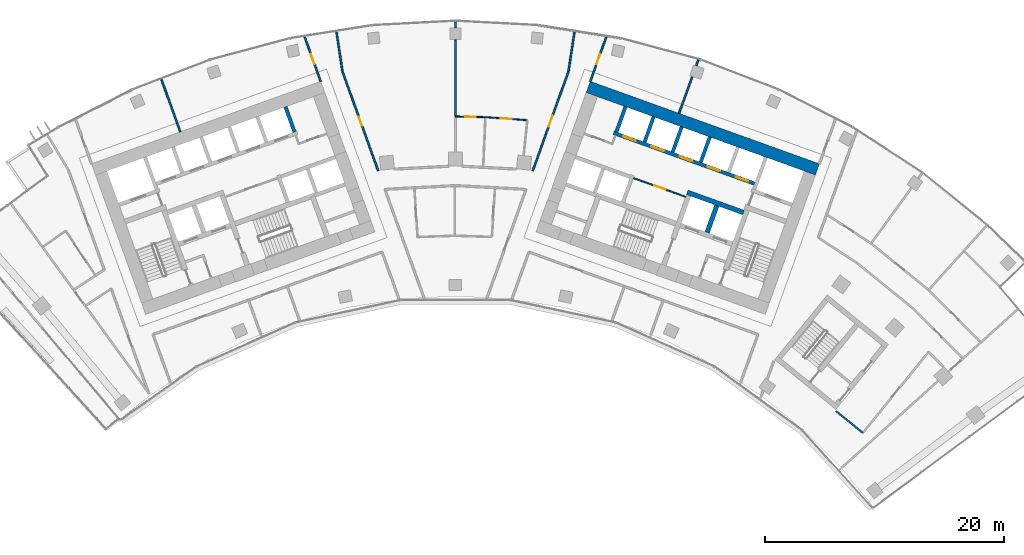
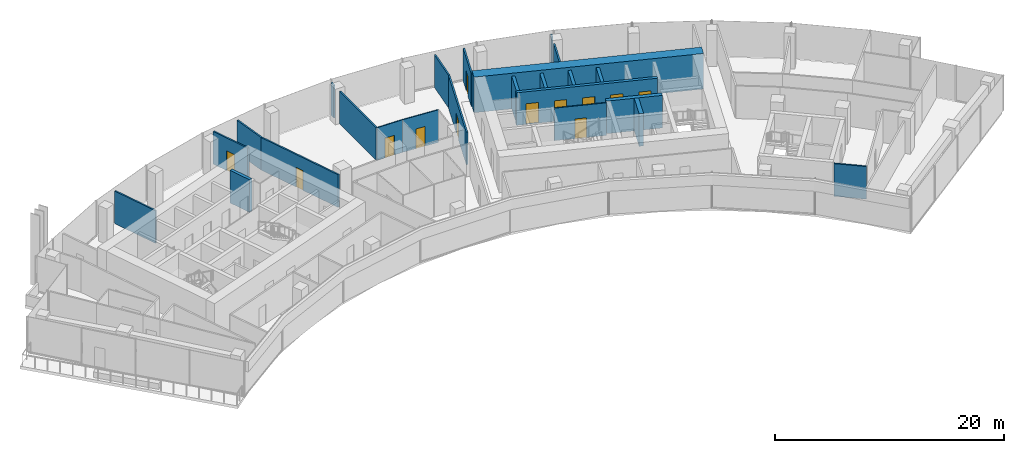
# One storey, part 14 of 18: 24 walls, 12 doors, 12 openings.
"""IFC4 building model written with IfcOpenShell, lengths in metres."""

from ifc_helpers import new_model, si_unit, direction, frame, frame_2d, origin, place, context, subcontext, project, spatial, rectangle, extrude, material, layer, layer_set, type_object, element, fill, save


model = new_model("IFC4")

# Units and contexts
model_context = context("Model", 3, precision=1e-05, world=origin(), true_north=direction((0.0, 1.0)))
body_context = subcontext(model_context, "Body", "Model", "MODEL_VIEW")
ifc_project = project(units=[si_unit("LENGTHUNIT", "METRE"), si_unit("AREAUNIT", "SQUARE_METRE"), si_unit("VOLUMEUNIT", "CUBIC_METRE"), si_unit("PLANEANGLEUNIT", "RADIAN"), si_unit("MASSUNIT", "GRAM", prefix="KILO")], contexts=[model_context])

# Site, building, storey
site_placement = place(None, origin())
site = spatial("IfcSite", under=ifc_project, at=site_placement, CompositionType="ELEMENT")
building_placement = place(site_placement, origin())
building = spatial("IfcBuilding", under=site, at=building_placement, Name="Stone Belt Terrace Tower", CompositionType="ELEMENT")
storey_placement = place(building_placement, frame((0.0, 0.0, 239.0)))
storey = spatial("IfcBuildingStorey", under=building, at=storey_placement, Name="L58", CompositionType="ELEMENT", Elevation=239.0)

# Wall, opening, door
ifc_material_1 = material(Name="Plasterboard partition")
ifc_layer_1 = layer(ifc_material_1, 0.10009765625)
ifc_layer_set_1 = layer_set([ifc_layer_1], Name="Core partition 100")
wall_type_1 = type_object("IfcWallType", Name="Core partition 100", PredefinedType="PARTITIONING", material=ifc_layer_set_1)
wall_1_placement = place(storey_placement, frame((19.29052734375, 51.829833984375, 0.0), z_axis=(0.0, 0.0, 1.0), x_axis=(-0.940930240745, 0.338600475563, 0.0)))
wall_1 = element("IfcWall", 1, at=wall_1_placement, inside=storey, type_object=wall_type_1, Name="Core B wall", PredefinedType="PARTITIONING", context=body_context, shape_type="SweptSolid", body=[
    extrude(rectangle(XDim=4.64990234375, YDim=0.10009765625, at=frame_2d((2.324951171875, 0.0))), origin(), (0.0, 0.0, 1.0), 3.47998046875),
])
opening_1_placement = place(wall_1_placement, frame((1.800048828125, 0.0, 0.0)))
opening_1 = element("IfcOpeningElement", 2, at=opening_1_placement, cuts=wall_1, Name="Opening L58-C13", PredefinedType="OPENING", context=body_context, shape_type="SweptSolid", body=[
    extrude(rectangle(XDim=1.0, YDim=2.10009765625, at=frame_2d((0.5, 1.050048828125))), frame((0.0, 0.06005859375, 0.0), z_axis=(0.0, -1.0, 0.0), x_axis=(1.0, 0.0, 0.0)), (0.0, 0.0, 1.0), 0.1201171875),
])
ifc_material_2 = material(Name="Timber door leaf", Category="wood")
door_type_1 = type_object("IfcDoorType", Name="Core room door 1000", OperationType="SINGLE_SWING_LEFT", PredefinedType="DOOR", material=ifc_material_2)
door_1_placement = place(opening_1_placement, origin())
door_1 = element("IfcDoor", 3, at=door_1_placement, inside=storey, type_object=door_type_1, Name="Door to Print and copy room core B", OperationType="SINGLE_SWING_LEFT", OverallHeight=2.10009765625, OverallWidth=1.0, PredefinedType="DOOR", context=body_context, shape_type="SweptSolid", body=[
    extrude(rectangle(XDim=1.0, YDim=2.10009765625, at=frame_2d((0.5, 1.050048828125))), frame((0.0, 0.02490234375, 0.0), z_axis=(0.0, -1.0, 0.0), x_axis=(1.0, 0.0, 0.0)), (0.0, 0.0, 1.0), 0.050048828125),
])
fill(opening_1, door_1)

# Walls
ifc_material_3 = material(Name="Concrete B60", Category="concrete")
ifc_layer_2 = layer(ifc_material_3, 1.0)
ifc_layer_set_2 = layer_set([ifc_layer_2], Name="Core wall 1000 B60")
wall_type_2 = type_object("IfcWallType", Name="Core wall 1000 B60", PredefinedType="SHEAR", material=ifc_layer_set_2)
wall_2_placement = place(storey_placement, frame((11.12646484375, 61.038330078125, 0.0), z_axis=(0.0, 0.0, 1.0), x_axis=(0.940921428504, -0.338624962727, 0.0)))
element("IfcWall", 4, at=wall_2_placement, inside=storey, type_object=wall_type_2, Name="Core B wall convex L58", PredefinedType="SHEAR", context=body_context, shape_type="SweptSolid", body=[
    extrude(rectangle(XDim=20.400146484375, YDim=1.0, at=frame_2d((10.2001953125, 0.0))), origin(), (0.0, 0.0, 1.0), 3.800048828125),
])
ifc_material_4 = material(Name="Concrete B80", Category="concrete")
ifc_layer_3 = layer(ifc_material_4, 0.39990234375)
ifc_layer_set_3 = layer_set([ifc_layer_3], Name="Fire-fighting lift shaft wall 400")
wall_type_3 = type_object("IfcWallType", Name="Fire-fighting lift shaft wall 400", PredefinedType="SHEAR", material=ifc_layer_set_3)
wall_3_placement = place(storey_placement, frame((24.130615234375, 50.512939453125, 0.0), z_axis=(0.0, 0.0, 1.0), x_axis=(-0.94091168377, 0.338652038744, 0.0)))
element("IfcWall", 5, at=wall_3_placement, inside=storey, type_object=wall_type_3, Name="Core B wall", PredefinedType="SHEAR", context=body_context, shape_type="SweptSolid", body=[
    extrude(rectangle(XDim=5.000244140625, YDim=0.39990234375, at=frame_2d((2.5, 0.0))), origin(), (0.0, 0.0, 1.0), 3.47998046875),
])
wall_4_placement = place(storey_placement, frame((21.0859375, 48.845458984375, 0.0), z_axis=(0.0, 0.0, 1.0), x_axis=(0.338629416206, 0.940919825745, 0.0)))
element("IfcWall", 6, at=wall_4_placement, inside=storey, type_object=wall_type_3, Name="Core B wall", PredefinedType="SHEAR", context=body_context, shape_type="SweptSolid", body=[
    extrude(rectangle(XDim=2.400146484375, YDim=0.39990234375, at=frame_2d((1.2001953125, 0.0))), origin(), (0.0, 0.0, 1.0), 3.47998046875),
])
ifc_layer_4 = layer(ifc_material_4, 0.300048828125)
ifc_layer_set_4 = layer_set([ifc_layer_4], Name="Lift shaft wall 300")
wall_type_4 = type_object("IfcWallType", Name="Lift shaft wall 300", PredefinedType="SHEAR", material=ifc_layer_set_4)
wall_5_placement = place(storey_placement, frame((-13.48828125, 57.265625, 0.0), z_axis=(0.0, 0.0, 1.0), x_axis=(-0.338631098537, 0.940919220286, 0.0)))
element("IfcWall", 7, at=wall_5_placement, inside=storey, type_object=wall_type_4, Name="Core A wall", PredefinedType="SHEAR", context=body_context, shape_type="SweptSolid", body=[
    extrude(rectangle(XDim=2.250244140625, YDim=0.300048828125, at=frame_2d((1.125, 0.0))), origin(), (0.0, 0.0, 1.0), 3.47998046875),
])

# Wall, openings, doors
wall_6_placement = place(storey_placement, frame((25.05810546875, 52.9423828125, 0.0), z_axis=(0.0, 0.0, 1.0), x_axis=(-0.940921381676, 0.338625092847, 0.0)))
wall_6 = element("IfcWall", 8, at=wall_6_placement, inside=storey, type_object=wall_type_4, Name="Core B wall", PredefinedType="SHEAR", context=body_context, shape_type="SweptSolid", body=[
    extrude(rectangle(XDim=12.550048828125, YDim=0.300048828125, at=frame_2d((6.27490234375, 0.0))), origin(), (0.0, 0.0, 1.0), 3.47998046875),
])
opening_2_placement = place(wall_6_placement, frame((0.570068359375, 0.0, 0.0)))
opening_2 = element("IfcOpeningElement", 9, at=opening_2_placement, cuts=wall_6, Name="Opening L58-LD09", PredefinedType="OPENING", context=body_context, shape_type="SweptSolid", body=[
    extrude(rectangle(XDim=1.10009765625, YDim=2.199951171875, at=frame_2d((0.550048828125, 1.10009765625))), frame((0.0, 0.159912109375, 0.0), z_axis=(0.0, -1.0, 0.0), x_axis=(1.0, 0.0, 0.0)), (0.0, 0.0, 1.0), 0.320068359375),
])
opening_3_placement = place(wall_6_placement, frame((3.070068359375, 0.0, 0.0)))
opening_3 = element("IfcOpeningElement", 10, at=opening_3_placement, cuts=wall_6, Name="Opening L58-LD10", PredefinedType="OPENING", context=body_context, shape_type="SweptSolid", body=[
    extrude(rectangle(XDim=1.10009765625, YDim=2.199951171875, at=frame_2d((0.550048828125, 1.10009765625))), frame((0.0, 0.159912109375, 0.0), z_axis=(0.0, -1.0, 0.0), x_axis=(1.0, 0.0, 0.0)), (0.0, 0.0, 1.0), 0.320068359375),
])
opening_4_placement = place(wall_6_placement, frame((5.570068359375, 0.0, 0.0)))
opening_4 = element("IfcOpeningElement", 11, at=opening_4_placement, cuts=wall_6, Name="Opening L58-LD11", PredefinedType="OPENING", context=body_context, shape_type="SweptSolid", body=[
    extrude(rectangle(XDim=1.10009765625, YDim=2.199951171875, at=frame_2d((0.550048828125, 1.10009765625))), frame((0.0, 0.159912109375, 0.0), z_axis=(0.0, -1.0, 0.0), x_axis=(1.0, 0.0, 0.0)), (0.0, 0.0, 1.0), 0.320068359375),
])
opening_5_placement = place(wall_6_placement, frame((8.070068359375, 0.0, 0.0)))
opening_5 = element("IfcOpeningElement", 12, at=opening_5_placement, cuts=wall_6, Name="Opening L58-LD12", PredefinedType="OPENING", context=body_context, shape_type="SweptSolid", body=[
    extrude(rectangle(XDim=1.10009765625, YDim=2.199951171875, at=frame_2d((0.550048828125, 1.10009765625))), frame((0.0, 0.159912109375, 0.0), z_axis=(0.0, -1.0, 0.0), x_axis=(1.0, 0.0, 0.0)), (0.0, 0.0, 1.0), 0.320068359375),
])
opening_6_placement = place(wall_6_placement, frame((10.570068359375, 0.0, 0.0)))
opening_6 = element("IfcOpeningElement", 13, at=opening_6_placement, cuts=wall_6, Name="Opening L58-LD13", PredefinedType="OPENING", context=body_context, shape_type="SweptSolid", body=[
    extrude(rectangle(XDim=1.10009765625, YDim=2.199951171875, at=frame_2d((0.550048828125, 1.10009765625))), frame((0.0, 0.159912109375, 0.0), z_axis=(0.0, -1.0, 0.0), x_axis=(1.0, 0.0, 0.0)), (0.0, 0.0, 1.0), 0.320068359375),
])
ifc_material_5 = material(Name="Stainless steel door leaf", Category="steel")
door_type_2 = type_object("IfcDoorType", Name="Landing door 1100", OperationType="SLIDING_TO_LEFT", PredefinedType="DOOR", material=ifc_material_5)
door_2_placement = place(opening_2_placement, origin())
door_2 = element("IfcDoor", 14, at=door_2_placement, inside=storey, type_object=door_type_2, Name="Landing door MR1 core B", OperationType="SLIDING_TO_LEFT", OverallHeight=2.199951171875, OverallWidth=1.10009765625, PredefinedType="DOOR", context=body_context, shape_type="SweptSolid", body=[
    extrude(rectangle(XDim=1.10009765625, YDim=2.199951171875, at=frame_2d((0.550048828125, 1.10009765625))), frame((0.0, 0.02490234375, 0.0), z_axis=(0.0, -1.0, 0.0), x_axis=(1.0, 0.0, 0.0)), (0.0, 0.0, 1.0), 0.050048828125),
])
fill(opening_2, door_2)
door_3_placement = place(opening_3_placement, origin())
door_3 = element("IfcDoor", 15, at=door_3_placement, inside=storey, type_object=door_type_2, Name="Landing door MR2 core B", OperationType="SLIDING_TO_LEFT", OverallHeight=2.199951171875, OverallWidth=1.10009765625, PredefinedType="DOOR", context=body_context, shape_type="SweptSolid", body=[
    extrude(rectangle(XDim=1.10009765625, YDim=2.199951171875, at=frame_2d((0.550048828125, 1.10009765625))), frame((0.0, 0.02490234375, 0.0), z_axis=(0.0, -1.0, 0.0), x_axis=(1.0, 0.0, 0.0)), (0.0, 0.0, 1.0), 0.050048828125),
])
fill(opening_3, door_3)
door_4_placement = place(opening_4_placement, origin())
door_4 = element("IfcDoor", 16, at=door_4_placement, inside=storey, type_object=door_type_2, Name="Landing door MR3 core B", OperationType="SLIDING_TO_LEFT", OverallHeight=2.199951171875, OverallWidth=1.10009765625, PredefinedType="DOOR", context=body_context, shape_type="SweptSolid", body=[
    extrude(rectangle(XDim=1.10009765625, YDim=2.199951171875, at=frame_2d((0.550048828125, 1.10009765625))), frame((0.0, 0.02490234375, 0.0), z_axis=(0.0, -1.0, 0.0), x_axis=(1.0, 0.0, 0.0)), (0.0, 0.0, 1.0), 0.050048828125),
])
fill(opening_4, door_4)
door_5_placement = place(opening_5_placement, origin())
door_5 = element("IfcDoor", 17, at=door_5_placement, inside=storey, type_object=door_type_2, Name="Landing door MR4 core B", OperationType="SLIDING_TO_LEFT", OverallHeight=2.199951171875, OverallWidth=1.10009765625, PredefinedType="DOOR", context=body_context, shape_type="SweptSolid", body=[
    extrude(rectangle(XDim=1.10009765625, YDim=2.199951171875, at=frame_2d((0.550048828125, 1.10009765625))), frame((0.0, 0.02490234375, 0.0), z_axis=(0.0, -1.0, 0.0), x_axis=(1.0, 0.0, 0.0)), (0.0, 0.0, 1.0), 0.050048828125),
])
fill(opening_5, door_5)
door_6_placement = place(opening_6_placement, origin())
door_6 = element("IfcDoor", 18, at=door_6_placement, inside=storey, type_object=door_type_2, Name="Landing door MR5 core B", OperationType="SLIDING_TO_LEFT", OverallHeight=2.199951171875, OverallWidth=1.10009765625, PredefinedType="DOOR", context=body_context, shape_type="SweptSolid", body=[
    extrude(rectangle(XDim=1.10009765625, YDim=2.199951171875, at=frame_2d((0.550048828125, 1.10009765625))), frame((0.0, 0.02490234375, 0.0), z_axis=(0.0, -1.0, 0.0), x_axis=(1.0, 0.0, 0.0)), (0.0, 0.0, 1.0), 0.050048828125),
])
fill(opening_6, door_6)

# Walls
wall_7_placement = place(storey_placement, frame((20.54541015625, 54.72607421875, 0.0), z_axis=(0.0, 0.0, 1.0), x_axis=(0.338569601369, 0.940941350472, 0.0)))
element("IfcWall", 19, at=wall_7_placement, inside=storey, type_object=wall_type_4, Name="Core B wall", PredefinedType="SHEAR", context=body_context, shape_type="SweptSolid", body=[
    extrude(rectangle(XDim=2.249755859375, YDim=0.300048828125, at=frame_2d((1.125, 0.0))), origin(), (0.0, 0.0, 1.0), 3.47998046875),
])
wall_8_placement = place(storey_placement, frame((18.193115234375, 55.572509765625, 0.0), z_axis=(0.0, 0.0, 1.0), x_axis=(0.338535034312, 0.940953787677, 0.0)))
element("IfcWall", 20, at=wall_8_placement, inside=storey, type_object=wall_type_4, Name="Core B wall", PredefinedType="SHEAR", context=body_context, shape_type="SweptSolid", body=[
    extrude(rectangle(XDim=2.25, YDim=0.300048828125, at=frame_2d((1.125, 0.0))), origin(), (0.0, 0.0, 1.0), 3.47998046875),
])
wall_9_placement = place(storey_placement, frame((15.8408203125, 56.419189453125, 0.0), z_axis=(0.0, 0.0, 1.0), x_axis=(0.338569601369, 0.940941350472, 0.0)))
element("IfcWall", 21, at=wall_9_placement, inside=storey, type_object=wall_type_4, Name="Core B wall", PredefinedType="SHEAR", context=body_context, shape_type="SweptSolid", body=[
    extrude(rectangle(XDim=2.249755859375, YDim=0.300048828125, at=frame_2d((1.125, 0.0))), origin(), (0.0, 0.0, 1.0), 3.47998046875),
])
wall_10_placement = place(storey_placement, frame((13.48828125, 57.265625, 0.0), z_axis=(0.0, 0.0, 1.0), x_axis=(0.338631098537, 0.940919220286, 0.0)))
element("IfcWall", 22, at=wall_10_placement, inside=storey, type_object=wall_type_4, Name="Core B wall", PredefinedType="SHEAR", context=body_context, shape_type="SweptSolid", body=[
    extrude(rectangle(XDim=2.250244140625, YDim=0.300048828125, at=frame_2d((1.125, 0.0))), origin(), (0.0, 0.0, 1.0), 3.47998046875),
])

# Wall, opening, door
ifc_material_6 = material(Name="Gypsum board partition")
ifc_layer_5 = layer(ifc_material_6, 0.10009765625)
ifc_layer_set_5 = layer_set([ifc_layer_5], Name="PARTITION 100")
wall_type_5 = type_object("IfcWallType", Name="PARTITION 100", PredefinedType="PARTITIONING", material=ifc_layer_set_5)
wall_11_placement = place(storey_placement, frame((2.501953125, 58.510986328125, 0.0), z_axis=(0.0, 0.0, 1.0), x_axis=(-0.999767552504, 0.021560170678, 0.0)))
wall_11 = element("IfcWall", 23, at=wall_11_placement, inside=storey, type_object=wall_type_5, Name="L58/wall/i079", PredefinedType="PARTITIONING", context=body_context, shape_type="SweptSolid", body=[
    extrude(rectangle(XDim=2.50244140625, YDim=0.10009765625, at=frame_2d((1.251220703125, 0.0))), origin(), (0.0, 0.0, 1.0), 3.47998046875),
])
opening_7_placement = place(wall_11_placement, frame((0.80126953125, 0.0, 0.0)))
opening_7 = element("IfcOpeningElement", 24, at=opening_7_placement, cuts=wall_11, Name="Opening D-D5-26", PredefinedType="OPENING", context=body_context, shape_type="SweptSolid", body=[
    extrude(rectangle(XDim=0.89990234375, YDim=2.10009765625, at=frame_2d((0.449951171875, 1.050048828125))), frame((0.0, 0.06005859375, 0.0), z_axis=(0.0, -1.0, 0.0), x_axis=(1.0, 0.0, 0.0)), (0.0, 0.0, 1.0), 0.1201171875),
])
door_type_3 = type_object("IfcDoorType", Name="OFFICE DOOR 900 X 2100", OperationType="NOTDEFINED", PredefinedType="DOOR", material=ifc_material_2)
door_7_placement = place(opening_7_placement, origin())
door_7 = element("IfcDoor", 25, at=door_7_placement, inside=storey, type_object=door_type_3, Name="L58/door/i26", OperationType="SINGLE_SWING_RIGHT", OverallHeight=2.10009765625, OverallWidth=0.89990234375, PredefinedType="DOOR", context=body_context, shape_type="SweptSolid", body=[
    extrude(rectangle(XDim=0.89990234375, YDim=2.10009765625, at=frame_2d((0.449951171875, 1.050048828125))), frame((0.0, 0.02490234375, 0.0), z_axis=(0.0, -1.0, 0.0), x_axis=(1.0, 0.0, 0.0)), (0.0, 0.0, 1.0), 0.050048828125),
])
fill(opening_7, door_7)

wall_12_placement = place(storey_placement, frame((6.01611328125, 58.2548828125, 0.0), z_axis=(0.0, 0.0, 1.0), x_axis=(-0.99735496008, 0.072684823755, 0.0)))
wall_12 = element("IfcWall", 26, at=wall_12_placement, inside=storey, type_object=wall_type_5, Name="L58/wall/i081", PredefinedType="PARTITIONING", context=body_context, shape_type="SweptSolid", body=[
    extrude(rectangle(XDim=3.5234375, YDim=0.10009765625, at=frame_2d((1.76171875, 0.0))), origin(), (0.0, 0.0, 1.0), 3.47998046875),
])
opening_8_placement = place(wall_12_placement, frame((1.311767578125, 0.0, 0.0)))
opening_8 = element("IfcOpeningElement", 27, at=opening_8_placement, cuts=wall_12, Name="Opening D-D5-27", PredefinedType="OPENING", context=body_context, shape_type="SweptSolid", body=[
    extrude(rectangle(XDim=0.89990234375, YDim=2.10009765625, at=frame_2d((0.449951171875, 1.050048828125))), frame((0.0, 0.06005859375, 0.0), z_axis=(0.0, -1.0, 0.0), x_axis=(1.0, 0.0, 0.0)), (0.0, 0.0, 1.0), 0.1201171875),
])
door_8_placement = place(opening_8_placement, origin())
door_8 = element("IfcDoor", 28, at=door_8_placement, inside=storey, type_object=door_type_3, Name="L58/door/i27", OperationType="SINGLE_SWING_RIGHT", OverallHeight=2.10009765625, OverallWidth=0.89990234375, PredefinedType="DOOR", context=body_context, shape_type="SweptSolid", body=[
    extrude(rectangle(XDim=0.89990234375, YDim=2.10009765625, at=frame_2d((0.449951171875, 1.050048828125))), frame((0.0, 0.02490234375, 0.0), z_axis=(0.0, -1.0, 0.0), x_axis=(1.0, 0.0, 0.0)), (0.0, 0.0, 1.0), 0.050048828125),
])
fill(opening_8, door_8)

ifc_layer_6 = layer(ifc_material_6, 0.14990234375)
ifc_layer_set_6 = layer_set([ifc_layer_6], Name="PARTITION 150 EI 60")
wall_type_6 = type_object("IfcWallType", Name="PARTITION 150 EI 60", PredefinedType="PARTITIONING", material=ifc_layer_set_6)
wall_13_placement = place(storey_placement, frame((-11.2958984375, 61.509033203125, 0.0), z_axis=(0.0, 0.0, 1.0), x_axis=(-0.338610223579, 0.940926732795, 0.0)))
wall_13 = element("IfcWall", 29, at=wall_13_placement, inside=storey, type_object=wall_type_6, Name="L58/wall/i007", PredefinedType="PARTITIONING", context=body_context, shape_type="SweptSolid", body=[
    extrude(rectangle(XDim=3.956787109375, YDim=0.14990234375, at=frame_2d((1.978515625, 0.0))), origin(), (0.0, 0.0, 1.0), 3.47998046875),
])
opening_9_placement = place(wall_13_placement, frame((1.5283203125, 0.0, 0.0)))
opening_9 = element("IfcOpeningElement", 30, at=opening_9_placement, cuts=wall_13, Name="Opening D-D5-05", PredefinedType="OPENING", context=body_context, shape_type="SweptSolid", body=[
    extrude(rectangle(XDim=0.89990234375, YDim=2.10009765625, at=frame_2d((0.449951171875, 1.050048828125))), frame((0.0, 0.0849609375, 0.0), z_axis=(0.0, -1.0, 0.0), x_axis=(1.0, 0.0, 0.0)), (0.0, 0.0, 1.0), 0.169921875),
])
door_9_placement = place(opening_9_placement, origin())
door_9 = element("IfcDoor", 31, at=door_9_placement, inside=storey, type_object=door_type_3, Name="L58/door/i05", OperationType="SINGLE_SWING_RIGHT", OverallHeight=2.10009765625, OverallWidth=0.89990234375, PredefinedType="DOOR", context=body_context, shape_type="SweptSolid", body=[
    extrude(rectangle(XDim=0.89990234375, YDim=2.10009765625, at=frame_2d((0.449951171875, 1.050048828125))), frame((0.0, 0.02490234375, 0.0), z_axis=(0.0, -1.0, 0.0), x_axis=(1.0, 0.0, 0.0)), (0.0, 0.0, 1.0), 0.050048828125),
])
fill(opening_9, door_9)

# Wall
wall_14_placement = place(storey_placement, frame((-9.971923828125, 65.65576171875, 0.0), z_axis=(0.0, 0.0, 1.0), x_axis=(0.150154488208, -0.988662545903, 0.0)))
element("IfcWall", 32, at=wall_14_placement, inside=storey, type_object=wall_type_6, Name="L58/wall/i009", PredefinedType="PARTITIONING", context=body_context, shape_type="SweptSolid", body=[
    extrude(rectangle(XDim=3.35595703125, YDim=0.14990234375, at=frame_2d((1.677978515625, 0.0))), origin(), (0.0, 0.0, 1.0), 3.47998046875),
])

# Wall, opening, door
wall_15_placement = place(storey_placement, frame((-9.468017578125, 62.3369140625, 0.0), z_axis=(0.0, 0.0, 1.0), x_axis=(0.338603075024, -0.940929305307, 0.0)))
wall_15 = element("IfcWall", 33, at=wall_15_placement, inside=storey, type_object=wall_type_6, Name="L58/wall/i010", PredefinedType="PARTITIONING", context=body_context, shape_type="SweptSolid", body=[
    extrude(rectangle(XDim=8.839111328125, YDim=0.14990234375, at=frame_2d((4.41943359375, 0.0))), origin(), (0.0, 0.0, 1.0), 3.47998046875),
])
opening_10_placement = place(wall_15_placement, frame((4.01953125, 0.0, 0.0)))
opening_10 = element("IfcOpeningElement", 34, at=opening_10_placement, cuts=wall_15, Name="Opening D-D5-24", PredefinedType="OPENING", context=body_context, shape_type="SweptSolid", body=[
    extrude(rectangle(XDim=0.800048828125, YDim=2.10009765625, at=frame_2d((0.39990234375, 1.050048828125))), frame((0.0, 0.0849609375, 0.0), z_axis=(0.0, -1.0, 0.0), x_axis=(1.0, 0.0, 0.0)), (0.0, 0.0, 1.0), 0.169921875),
])
door_type_4 = type_object("IfcDoorType", Name="STORE DOOR 800 X 2100", OperationType="NOTDEFINED", PredefinedType="DOOR", material=ifc_material_2)
door_10_placement = place(opening_10_placement, origin())
door_10 = element("IfcDoor", 35, at=door_10_placement, inside=storey, type_object=door_type_4, Name="L58/door/i24", OperationType="SINGLE_SWING_LEFT", OverallHeight=2.10009765625, OverallWidth=0.800048828125, PredefinedType="DOOR", context=body_context, shape_type="SweptSolid", body=[
    extrude(rectangle(XDim=0.800048828125, YDim=2.10009765625, at=frame_2d((0.39990234375, 1.050048828125))), frame((0.0, 0.02490234375, 0.0), z_axis=(0.0, -1.0, 0.0), x_axis=(1.0, 0.0, 0.0)), (0.0, 0.0, 1.0), 0.050048828125),
])
fill(opening_10, door_10)

# Wall
wall_16_placement = place(storey_placement, frame((-24.638916015625, 61.675048828125, 0.0), z_axis=(0.0, 0.0, 1.0), x_axis=(0.338671379008, -0.940904722616, 0.0)))
element("IfcWall", 36, at=wall_16_placement, inside=storey, type_object=wall_type_6, Name="L58/wall/i016", PredefinedType="PARTITIONING", context=body_context, shape_type="SweptSolid", body=[
    extrude(rectangle(XDim=4.674072265625, YDim=0.14990234375, at=frame_2d((2.3369140625, 0.0))), origin(), (0.0, 0.0, 1.0), 3.47998046875),
])

# Wall, opening, door
wall_17_placement = place(storey_placement, frame((12.6357421875, 65.232177734375, 0.0), z_axis=(0.0, 0.0, 1.0), x_axis=(-0.338610223579, -0.940926732795, 0.0)))
wall_17 = element("IfcWall", 37, at=wall_17_placement, inside=storey, type_object=wall_type_6, Name="L58/wall/i018", PredefinedType="PARTITIONING", context=body_context, shape_type="SweptSolid", body=[
    extrude(rectangle(XDim=3.956787109375, YDim=0.14990234375, at=frame_2d((1.978515625, 0.0))), origin(), (0.0, 0.0, 1.0), 3.47998046875),
])
opening_11_placement = place(wall_17_placement, frame((1.5283203125, 0.0, 0.0)))
opening_11 = element("IfcOpeningElement", 38, at=opening_11_placement, cuts=wall_17, Name="Opening D-D5-09", PredefinedType="OPENING", context=body_context, shape_type="SweptSolid", body=[
    extrude(rectangle(XDim=0.89990234375, YDim=2.10009765625, at=frame_2d((0.449951171875, 1.050048828125))), frame((0.0, 0.0849609375, 0.0), z_axis=(0.0, -1.0, 0.0), x_axis=(1.0, 0.0, 0.0)), (0.0, 0.0, 1.0), 0.169921875),
])
door_11_placement = place(opening_11_placement, origin())
door_11 = element("IfcDoor", 39, at=door_11_placement, inside=storey, type_object=door_type_3, Name="L58/door/i09", OperationType="SINGLE_SWING_RIGHT", OverallHeight=2.10009765625, OverallWidth=0.89990234375, PredefinedType="DOOR", context=body_context, shape_type="SweptSolid", body=[
    extrude(rectangle(XDim=0.89990234375, YDim=2.10009765625, at=frame_2d((0.449951171875, 1.050048828125))), frame((0.0, 0.02490234375, 0.0), z_axis=(0.0, -1.0, 0.0), x_axis=(1.0, 0.0, 0.0)), (0.0, 0.0, 1.0), 0.050048828125),
])
fill(opening_11, door_11)

wall_18_placement = place(storey_placement, frame((6.47509765625, 54.02001953125, 0.0), z_axis=(0.0, 0.0, 1.0), x_axis=(0.338603075024, 0.940929305307, 0.0)))
wall_18 = element("IfcWall", 40, at=wall_18_placement, inside=storey, type_object=wall_type_6, Name="L58/wall/i020", PredefinedType="PARTITIONING", context=body_context, shape_type="SweptSolid", body=[
    extrude(rectangle(XDim=8.839111328125, YDim=0.14990234375, at=frame_2d((4.41943359375, 0.0))), origin(), (0.0, 0.0, 1.0), 3.47998046875),
])
opening_12_placement = place(wall_18_placement, frame((3.919677734375, 0.0, 0.0)))
opening_12 = element("IfcOpeningElement", 41, at=opening_12_placement, cuts=wall_18, Name="Opening D-D5-25", PredefinedType="OPENING", context=body_context, shape_type="SweptSolid", body=[
    extrude(rectangle(XDim=1.0, YDim=2.10009765625, at=frame_2d((0.5, 1.050048828125))), frame((0.0, 0.0849609375, 0.0), z_axis=(0.0, -1.0, 0.0), x_axis=(1.0, 0.0, 0.0)), (0.0, 0.0, 1.0), 0.169921875),
])
ifc_material_7 = material(Name="Timber fire door leaf", Category="wood")
door_type_5 = type_object("IfcDoorType", Name="TENANCY ENTRANCE DOOR 1000 X 2100", OperationType="NOTDEFINED", PredefinedType="DOOR", material=ifc_material_7)
door_12_placement = place(opening_12_placement, origin())
door_12 = element("IfcDoor", 42, at=door_12_placement, inside=storey, type_object=door_type_5, Name="L58/door/i25", OperationType="SINGLE_SWING_RIGHT", OverallHeight=2.10009765625, OverallWidth=1.0, PredefinedType="DOOR", context=body_context, shape_type="SweptSolid", body=[
    extrude(rectangle(XDim=1.0, YDim=2.10009765625, at=frame_2d((0.5, 1.050048828125))), frame((0.0, 0.02490234375, 0.0), z_axis=(0.0, -1.0, 0.0), x_axis=(1.0, 0.0, 0.0)), (0.0, 0.0, 1.0), 0.050048828125),
])
fill(opening_12, door_12)

# Walls
wall_19_placement = place(storey_placement, frame((9.468017578125, 62.337890625, 0.0), z_axis=(0.0, 0.0, 1.0), x_axis=(0.150154488208, 0.988662545903, 0.0)))
element("IfcWall", 43, at=wall_19_placement, inside=storey, type_object=wall_type_6, Name="L58/wall/i021", PredefinedType="PARTITIONING", context=body_context, shape_type="SweptSolid", body=[
    extrude(rectangle(XDim=3.35595703125, YDim=0.14990234375, at=frame_2d((1.677978515625, 0.0))), origin(), (0.0, 0.0, 1.0), 3.47998046875),
])
wall_20_placement = place(storey_placement, frame((20.337890625, 63.302001953125, 0.0), z_axis=(0.0, 0.0, 1.0), x_axis=(-0.33892909722, -0.940811919066, 0.0)))
element("IfcWall", 44, at=wall_20_placement, inside=storey, type_object=wall_type_6, Name="L58/wall/i033", PredefinedType="PARTITIONING", context=body_context, shape_type="SweptSolid", body=[
    extrude(rectangle(XDim=0.494873046875, YDim=0.14990234375, at=frame_2d((0.24755859375, 0.0))), origin(), (0.0, 0.0, 1.0), 3.47998046875),
])
wall_21_placement = place(storey_placement, frame((19.828125, 61.885498046875, 0.0), z_axis=(0.0, 0.0, 1.0), x_axis=(-0.338610171134, -0.940926751668, 0.0)))
element("IfcWall", 45, at=wall_21_placement, inside=storey, type_object=wall_type_6, Name="L58/wall/i034", PredefinedType="PARTITIONING", context=body_context, shape_type="SweptSolid", body=[
    extrude(rectangle(XDim=3.2431640625, YDim=0.14990234375, at=frame_2d((1.62158203125, 0.0))), origin(), (0.0, 0.0, 1.0), 3.47998046875),
])
wall_22_placement = place(storey_placement, frame((34.133056640625, 32.055908203125, 0.0), z_axis=(0.0, 0.0, 1.0), x_axis=(-0.776369956068, 0.630277471686, 0.0)))
element("IfcWall", 46, at=wall_22_placement, inside=storey, type_object=wall_type_6, Name="L58/wall/i053", PredefinedType="PARTITIONING", context=body_context, shape_type="SweptSolid", body=[
    extrude(rectangle(XDim=2.8876953125, YDim=0.14990234375, at=frame_2d((1.44384765625, 0.0))), origin(), (0.0, 0.0, 1.0), 3.47998046875),
])
wall_23_placement = place(storey_placement, frame((0.0, 66.5, 0.0), z_axis=(0.0, 0.0, 1.0), x_axis=(0.0, -1.0, 0.0)))
element("IfcWall", 47, at=wall_23_placement, inside=storey, type_object=wall_type_6, Name="L58/wall/i076", PredefinedType="PARTITIONING", context=body_context, shape_type="SweptSolid", body=[
    extrude(rectangle(XDim=0.506103515625, YDim=0.14990234375, at=frame_2d((0.2529296875, 0.0))), origin(), (0.0, 0.0, 1.0), 3.47998046875),
])
wall_24_placement = place(storey_placement, frame((0.0, 64.98388671875, 0.0), z_axis=(0.0, 0.0, 1.0), x_axis=(0.0, -1.0, 0.0)))
element("IfcWall", 48, at=wall_24_placement, inside=storey, type_object=wall_type_6, Name="L58/wall/i077", PredefinedType="PARTITIONING", context=body_context, shape_type="SweptSolid", body=[
    extrude(rectangle(XDim=6.4248046875, YDim=0.14990234375, at=frame_2d((3.21240234375, 0.0))), origin(), (0.0, 0.0, 1.0), 3.47998046875),
])

save(model, "model.ifc")
